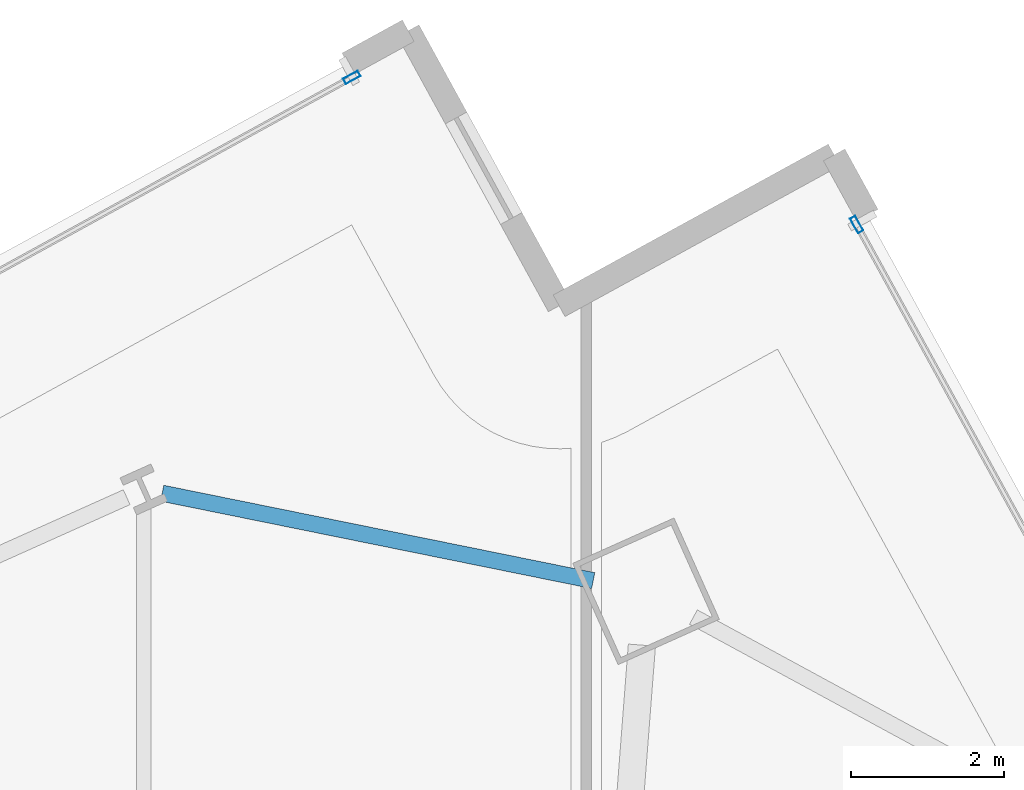
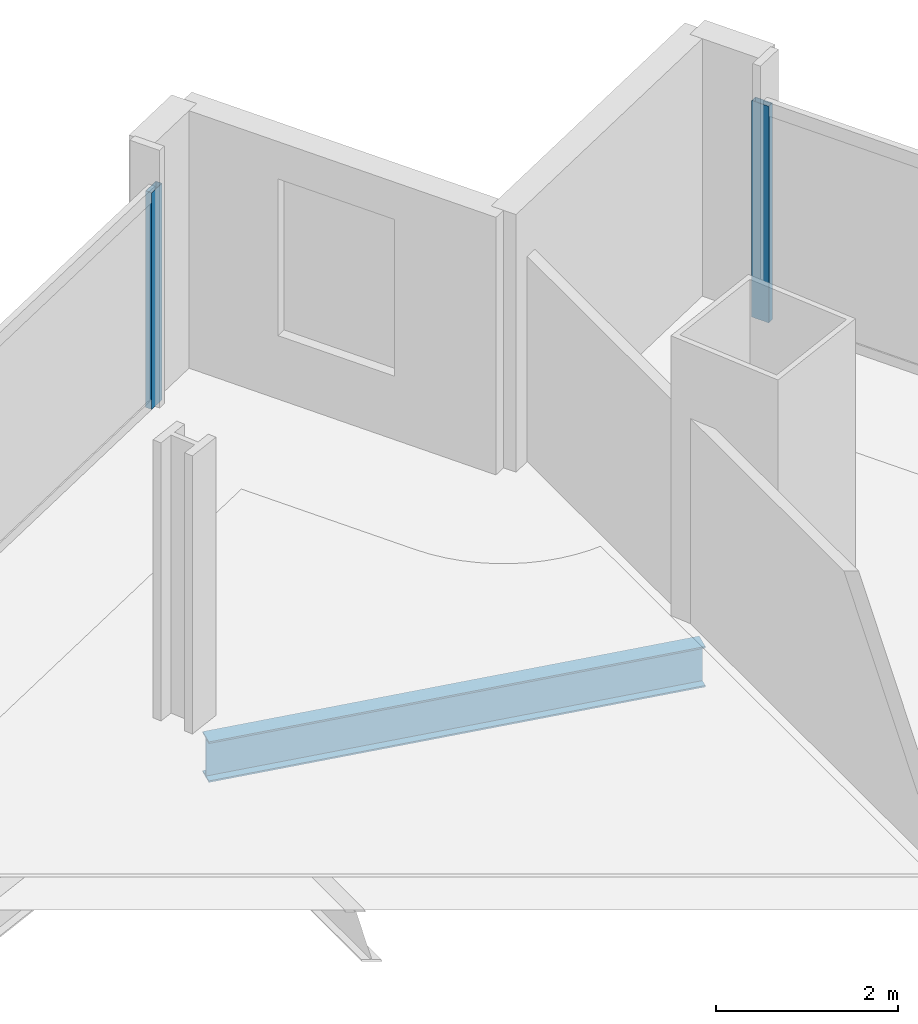
# One storey, part 20 of 33: 2 members, 1 beam, 2 elements without a shape of their own.
"""IFC4 building model written with IfcOpenShell, lengths in metres."""

from ifc_helpers import new_model, si_unit, direction, frame, origin, origin_2d, place, context, subcontext, project, spatial, hollow_rectangle, i_section, extrude, material, material_profile, profile_set, type_object, element, aggregate, save


model = new_model("IFC4")

# Units and contexts
model_context = context("Model", 3, precision=1e-05, world=origin(), true_north=direction((0.0, 1.0)))
body_context = subcontext(model_context, "Body", "Model", "MODEL_VIEW")
ifc_project = project(units=[si_unit("LENGTHUNIT", "METRE"), si_unit("AREAUNIT", "SQUARE_METRE"), si_unit("VOLUMEUNIT", "CUBIC_METRE"), si_unit("PLANEANGLEUNIT", "RADIAN"), si_unit("MASSUNIT", "GRAM", prefix="KILO")], contexts=[model_context])

# Site, building, storey
site_placement = place(None, origin())
site = spatial("IfcSite", under=ifc_project, at=site_placement, CompositionType="ELEMENT")
building_placement = place(site_placement, origin())
building = spatial("IfcBuilding", under=site, at=building_placement, Name="Haldenkirk Collegiate Tower", CompositionType="ELEMENT")
storey_placement = place(building_placement, frame((0.0, 0.0, 124.199951171875)))
storey = spatial("IfcBuildingStorey", under=building, at=storey_placement, Name="L30", CompositionType="ELEMENT", Elevation=124.199951171875)

# Beam
ifc_material_1 = material(Name="Steel ASTM A992 Grade 50", Category="steel")
ifc_material_profile_1 = material_profile(ifc_material_1, i_section(OverallWidth=0.2119140625, OverallDepth=0.5439453125, WebThickness=0.01318359375, FlangeThickness=0.021240234375, at=origin_2d()), Name="W21X83")
ifc_profile_set_1 = profile_set([ifc_material_profile_1], Name="Steel ASTM A992 Grade 50")
beam_type = type_object("IfcBeamType", Name="BM-SPANDREL-W21X83", PredefinedType="SPANDREL", material=ifc_profile_set_1)
beam_placement = place(storey_placement, frame((45.590087890625, 50.750244140625, -0.572021484375), z_axis=(-0.980069318183, 0.198655811786, 0.0), x_axis=(-0.198655811786, -0.980069318183, 0.0)))
element("IfcBeam", 1, at=beam_placement, inside=storey, type_object=beam_type, Name="L30 perimeter spandrel beam 09", PredefinedType="SPANDREL", context=body_context, shape_type="SweptSolid", body=[
    extrude(i_section(OverallWidth=0.2119140625, OverallDepth=0.5439453125, WebThickness=0.01318359375, FlangeThickness=0.021240234375, at=origin_2d()), origin(), (0.0, 0.0, 1.0), 5.747802734375),
])

# Curtain wall, member
ifc_material_2 = material(Name="Anodised architectural bronze aluminium", Category="aluminium")
curtain_wall_type = type_object("IfcCurtainWallType", Name="CW-SYS1-CONVEX-LOW", PredefinedType="USERDEFINED", material=ifc_material_2)
curtain_wall_1_placement = place(storey_placement, origin())
curtain_wall_1 = element("IfcCurtainWall", 2, at=curtain_wall_1_placement, inside=storey, type_object=curtain_wall_type, Name="L30 Lower tower convex bronze-framed unitised curtain wall", ObjectType="UNITISED CURTAIN WALL", PredefinedType="USERDEFINED")
ifc_material_profile_2 = material_profile(ifc_material_2, hollow_rectangle(XDim=0.080078125, YDim=0.219970703125, WallThickness=0.0048828125, at=origin_2d()), Name="CW-MUL-1A")
ifc_profile_set_2 = profile_set([ifc_material_profile_2], Name="Anodised architectural bronze aluminium")
member_type = type_object("IfcMemberType", Name="CW-MUL-1A", PredefinedType="MULLION", material=ifc_profile_set_2)
member_1_placement = place(storey_placement, frame((49.033935546875, 55.40380859375, 0.0), z_axis=(0.0, 0.0, 1.0), x_axis=(0.876726263845, 0.480989665465, 0.0)))
member_1 = element("IfcMember", 3, at=member_1_placement, type_object=member_type, Name="CW-1A mullion 1", PredefinedType="MULLION", context=body_context, shape_type="SweptSolid", body=[
    extrude(hollow_rectangle(XDim=0.080078125, YDim=0.219970703125, WallThickness=0.0048828125, at=origin_2d()), origin(), (0.0, 0.0, 1.0), 2.901123046875),
])
aggregate(curtain_wall_1, [member_1])

curtain_wall_2_placement = place(storey_placement, origin())
curtain_wall_2 = element("IfcCurtainWall", 4, at=curtain_wall_2_placement, inside=storey, type_object=curtain_wall_type, Name="L30 Lower tower convex bronze-framed unitised curtain wall", ObjectType="UNITISED CURTAIN WALL", PredefinedType="USERDEFINED")
member_2_placement = place(storey_placement, frame((42.435302734375, 57.3271484375, 0.0), z_axis=(0.0, 0.0, 1.0), x_axis=(-0.480988754199, 0.876726763783, 0.0)))
member_2 = element("IfcMember", 5, at=member_2_placement, type_object=member_type, Name="CW-1A mullion 5", PredefinedType="MULLION", context=body_context, shape_type="SweptSolid", body=[
    extrude(hollow_rectangle(XDim=0.080078125, YDim=0.219970703125, WallThickness=0.0048828125, at=origin_2d()), origin(), (0.0, 0.0, 1.0), 2.901123046875),
])
aggregate(curtain_wall_2, [member_2])

save(model, "model.ifc")
